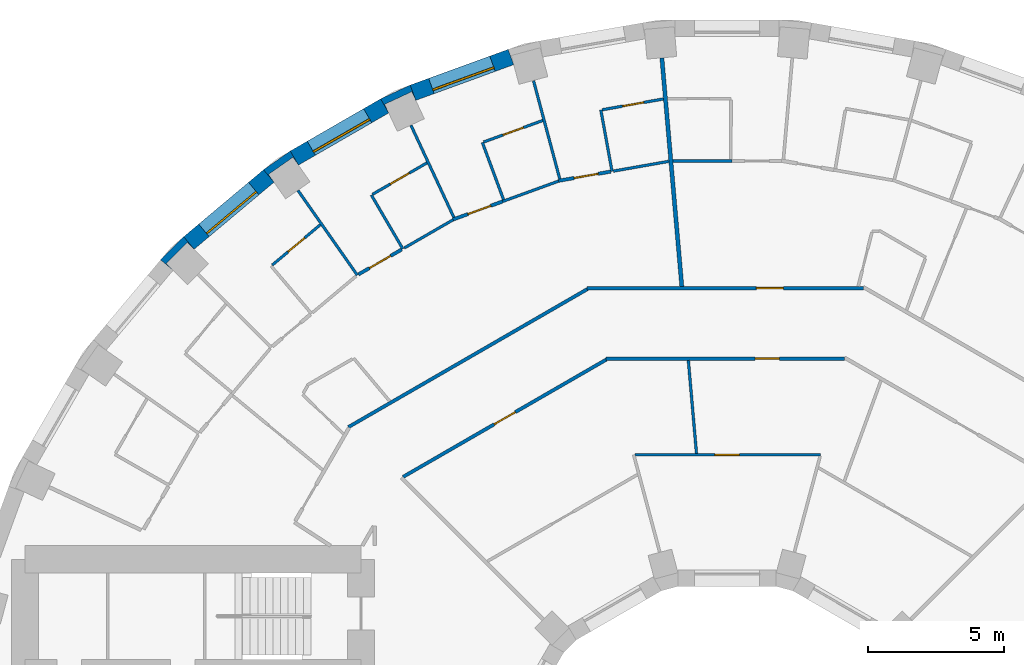
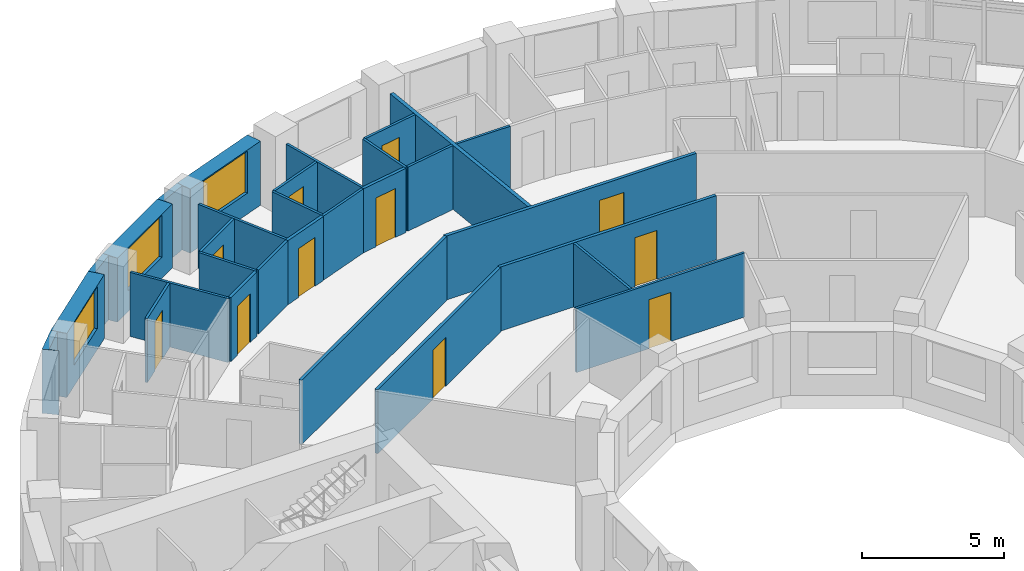
# One storey, part 11 of 15: 30 walls, 11 doors, 3 windows, 14 openings.
"""IFC4 building model written with IfcOpenShell, lengths in metres."""

from ifc_helpers import new_model, si_unit, direction, frame, frame_2d, origin, place, context, subcontext, project, spatial, polyline, rectangle, outline, extrude, material, layer, layer_set, type_object, element, fill, save


model = new_model("IFC4")

# Units and contexts
model_context = context("Model", 3, precision=1e-05, world=origin(), true_north=direction((0.0, 1.0)))
body_context = subcontext(model_context, "Body", "Model", "MODEL_VIEW")
ifc_project = project(units=[si_unit("LENGTHUNIT", "METRE"), si_unit("AREAUNIT", "SQUARE_METRE"), si_unit("VOLUMEUNIT", "CUBIC_METRE"), si_unit("PLANEANGLEUNIT", "RADIAN"), si_unit("MASSUNIT", "GRAM", prefix="KILO")], contexts=[model_context])

# Site, building, storey
site_placement = place(None, origin())
site = spatial("IfcSite", under=ifc_project, at=site_placement, CompositionType="ELEMENT")
building_placement = place(site_placement, origin())
building = spatial("IfcBuilding", under=site, at=building_placement, Name="Saqina Gate Tower", CompositionType="ELEMENT")
storey_placement = place(building_placement, frame((0.0, 0.0, 56.0)))
storey = spatial("IfcBuildingStorey", under=building, at=storey_placement, Name="L15", CompositionType="ELEMENT", Elevation=56.0)

# Walls
ifc_material_1 = material(Name="Brick masonry (red)", Category="masonry")
wall_type_1 = type_object("IfcWallType", Name="BRICK PIER COPING RED", PredefinedType="SOLIDWALL", material=ifc_material_1)
wall_1_placement = place(storey_placement, origin())
element("IfcWall", 1, at=wall_1_placement, inside=storey, type_object=wall_type_1, Name="Pier cap L15 column 12", PredefinedType="SOLIDWALL", context=body_context, shape_type="SweptSolid", body=[
    extrude(outline(polyline([(-12.779541015625, 25.980712890625), (-12.4794921875, 25.4609375), (-12.627685546875, 25.778564453125), (-11.630615234375, 26.243408203125), (-11.482666015625, 25.92578125), (-11.687744140625, 26.48974609375), (-12.779541015625, 25.980712890625)])), origin(), (0.0, 0.0, 1.0), 2.75),
])
wall_2_placement = place(storey_placement, origin())
element("IfcWall", 2, at=wall_2_placement, inside=storey, type_object=wall_type_1, Name="Pier cap L15 column 13", PredefinedType="SOLIDWALL", context=body_context, shape_type="SweptSolid", body=[
    extrude(outline(polyline([(-16.110107421875, 24.0576171875), (-17.096923828125, 23.36669921875), (-16.711181640625, 22.9072265625), (-16.912109375, 23.194091796875), (-16.010986328125, 23.8251953125), (-15.81005859375, 23.5380859375), (-16.110107421875, 24.0576171875)])), origin(), (0.0, 0.0, 1.0), 2.75),
])
wall_3_placement = place(storey_placement, origin())
element("IfcWall", 3, at=wall_3_placement, inside=storey, type_object=wall_type_1, Name="Pier cap L15 column 14", PredefinedType="SOLIDWALL", context=body_context, shape_type="SweptSolid", body=[
    extrude(outline(polyline([(-20.894775390625, 20.04296875), (-20.43505859375, 19.6572265625), (-20.682861328125, 19.905029296875), (-19.905029296875, 20.682861328125), (-19.6572265625, 20.43505859375), (-20.04296875, 20.894775390625), (-20.894775390625, 20.04296875)])), origin(), (0.0, 0.0, 1.0), 2.75),
])

# Wall, opening, window
ifc_material_2 = material(Name="Brick masonry (red)", Category="masonry")
ifc_layer_1 = layer(ifc_material_2, 0.60009765625)
ifc_layer_set_1 = layer_set([ifc_layer_1], Name="FW-BRICK-RED")
wall_type_2 = type_object("IfcWallType", Name="FW-BRICK-RED", PredefinedType="SOLIDWALL", material=ifc_layer_set_1)
wall_4_placement = place(storey_placement, frame((-7.97119140625, 27.523193359375, 0.0), z_axis=(0.0, 0.0, 1.0), x_axis=(-0.939689588564, -0.342028474173, 0.0)))
wall_4 = element("IfcWall", 4, at=wall_4_placement, inside=storey, type_object=wall_type_2, Name="Facade wall L15 facet 11", PredefinedType="SOLIDWALL", context=body_context, shape_type="SweptSolid", body=[
    extrude(rectangle(XDim=3.845947265625, YDim=0.60009765625, at=frame_2d((1.9228515625, 0.0))), origin(), (0.0, 0.0, 1.0), 2.75),
])
opening_1_placement = place(wall_4_placement, frame((0.722900390625, 0.0, 0.89990234375)))
opening_1 = element("IfcOpeningElement", 5, at=opening_1_placement, cuts=wall_4, Name="Opening G04-W06", PredefinedType="OPENING", context=body_context, shape_type="SweptSolid", body=[
    extrude(rectangle(XDim=2.39990234375, YDim=1.800048828125, at=frame_2d((1.199951171875, 0.89990234375))), frame((0.0, 0.31201171875, 0.0), z_axis=(0.0, -1.0, 0.0), x_axis=(1.0, 0.0, 0.0)), (0.0, 0.0, 1.0), 0.6240234375),
])
ifc_material_3 = material(Name="Aluminium glazing", Category="aluminium")
window_type = type_object("IfcWindowType", Name="WN-A", PartitioningType="SINGLE_PANEL", PredefinedType="WINDOW", material=ifc_material_3)
window_1_placement = place(opening_1_placement, origin())
window_1 = element("IfcWindow", 6, at=window_1_placement, inside=storey, type_object=window_type, Name="Window L15 facet 11", OverallHeight=1.800048828125, OverallWidth=2.39990234375, PartitioningType="SINGLE_PANEL", PredefinedType="WINDOW", context=body_context, shape_type="SweptSolid", body=[
    extrude(rectangle(XDim=2.39990234375, YDim=1.800048828125, at=frame_2d((1.199951171875, 0.89990234375))), frame((0.0, 0.179931640625, 0.0), z_axis=(0.0, -1.0, 0.0), x_axis=(1.0, 0.0, 0.0)), (0.0, 0.0, 1.0), 0.06005859375),
])
fill(opening_1, window_1)

wall_5_placement = place(storey_placement, frame((-12.629638671875, 25.720703125, 0.0), z_axis=(0.0, 0.0, 1.0), x_axis=(-0.86603124159, -0.499989888488, 0.0)))
wall_5 = element("IfcWall", 7, at=wall_5_placement, inside=storey, type_object=wall_type_2, Name="Facade wall L15 facet 12", PredefinedType="SOLIDWALL", context=body_context, shape_type="SweptSolid", body=[
    extrude(rectangle(XDim=3.845703125, YDim=0.60009765625, at=frame_2d((1.9228515625, 0.0))), origin(), (0.0, 0.0, 1.0), 2.75),
])
opening_2_placement = place(wall_5_placement, frame((0.722900390625, 0.0, 0.89990234375)))
opening_2 = element("IfcOpeningElement", 8, at=opening_2_placement, cuts=wall_5, Name="Opening G04-W07", PredefinedType="OPENING", context=body_context, shape_type="SweptSolid", body=[
    extrude(rectangle(XDim=2.39990234375, YDim=1.800048828125, at=frame_2d((1.199951171875, 0.89990234375))), frame((0.0, 0.31201171875, 0.0), z_axis=(0.0, -1.0, 0.0), x_axis=(1.0, 0.0, 0.0)), (0.0, 0.0, 1.0), 0.6240234375),
])
window_2_placement = place(opening_2_placement, origin())
window_2 = element("IfcWindow", 9, at=window_2_placement, inside=storey, type_object=window_type, Name="Window L15 facet 12", OverallHeight=1.800048828125, OverallWidth=2.39990234375, PartitioningType="SINGLE_PANEL", PredefinedType="WINDOW", context=body_context, shape_type="SweptSolid", body=[
    extrude(rectangle(XDim=2.39990234375, YDim=1.800048828125, at=frame_2d((1.199951171875, 0.89990234375))), frame((0.0, 0.179931640625, 0.0), z_axis=(0.0, -1.0, 0.0), x_axis=(1.0, 0.0, 0.0)), (0.0, 0.0, 1.0), 0.06005859375),
])
fill(opening_2, window_2)

wall_6_placement = place(storey_placement, frame((-16.904052734375, 23.136962890625, 0.0), z_axis=(0.0, 0.0, 1.0), x_axis=(-0.766026164483, -0.642809392687, 0.0)))
wall_6 = element("IfcWall", 10, at=wall_6_placement, inside=storey, type_object=wall_type_2, Name="Facade wall L15 facet 13", PredefinedType="SOLIDWALL", context=body_context, shape_type="SweptSolid", body=[
    extrude(rectangle(XDim=3.845947265625, YDim=0.60009765625, at=frame_2d((1.9228515625, 0.0))), origin(), (0.0, 0.0, 1.0), 2.75),
])
opening_3_placement = place(wall_6_placement, frame((0.722900390625, 0.0, 0.89990234375)))
opening_3 = element("IfcOpeningElement", 11, at=opening_3_placement, cuts=wall_6, Name="Opening G04-W08", PredefinedType="OPENING", context=body_context, shape_type="SweptSolid", body=[
    extrude(rectangle(XDim=2.39990234375, YDim=1.800048828125, at=frame_2d((1.199951171875, 0.89990234375))), frame((0.0, 0.31201171875, 0.0), z_axis=(0.0, -1.0, 0.0), x_axis=(1.0, 0.0, 0.0)), (0.0, 0.0, 1.0), 0.6240234375),
])
window_3_placement = place(opening_3_placement, origin())
window_3 = element("IfcWindow", 12, at=window_3_placement, inside=storey, type_object=window_type, Name="Window L15 facet 13", OverallHeight=1.800048828125, OverallWidth=2.39990234375, PartitioningType="SINGLE_PANEL", PredefinedType="WINDOW", context=body_context, shape_type="SweptSolid", body=[
    extrude(rectangle(XDim=2.39990234375, YDim=1.800048828125, at=frame_2d((1.199951171875, 0.89990234375))), frame((0.0, 0.179931640625, 0.0), z_axis=(0.0, -1.0, 0.0), x_axis=(1.0, 0.0, 0.0)), (0.0, 0.0, 1.0), 0.06005859375),
])
fill(opening_3, window_3)

# Walls
ifc_material_4 = material(Name="Gypsum board on steel studs, 100 mm", Category="steel")
ifc_layer_2 = layer(ifc_material_4, 0.10009765625)
ifc_layer_set_2 = layer_set([ifc_layer_2], Name="PARTITION 100")
wall_type_3 = type_object("IfcWallType", Name="PARTITION 100", PredefinedType="PARTITIONING", material=ifc_layer_set_2)
wall_7_placement = place(storey_placement, frame((-1.429443359375, 16.337646484375, 0.0), z_axis=(0.0, 0.0, 1.0), x_axis=(0.087231016206, -0.996188109652, 0.0)))
element("IfcWall", 13, at=wall_7_placement, inside=storey, type_object=wall_type_3, Name="PARTITION PW3-04", PredefinedType="PARTITIONING", context=body_context, shape_type="SweptSolid", body=[
    extrude(rectangle(XDim=3.450927734375, YDim=0.10009765625, at=frame_2d((1.7255859375, 0.0))), origin(), (0.0, 0.0, 1.0), 2.75),
])
wall_8_placement = place(storey_placement, frame((-4.656005859375, 25.570068359375, 0.0), z_axis=(0.0, 0.0, 1.0), x_axis=(0.179165642613, -0.983818922621, 0.0)))
element("IfcWall", 14, at=wall_8_placement, inside=storey, type_object=wall_type_3, Name="PARTITION PW3-08", PredefinedType="PARTITIONING", context=body_context, shape_type="SweptSolid", body=[
    extrude(rectangle(XDim=2.300048828125, YDim=0.10009765625, at=frame_2d((1.14990234375, 0.0))), origin(), (0.0, 0.0, 1.0), 2.75),
])
wall_9_placement = place(storey_placement, frame((-7.139404296875, 26.650146484375, 0.0), z_axis=(0.0, 0.0, 1.0), x_axis=(0.258074907141, -0.966124910301, 0.0)))
element("IfcWall", 15, at=wall_9_placement, inside=storey, type_object=wall_type_3, Name="PARTITION PW3-09", PredefinedType="PARTITIONING", context=body_context, shape_type="SweptSolid", body=[
    extrude(rectangle(XDim=3.759521484375, YDim=0.10009765625, at=frame_2d((1.8798828125, 0.0))), origin(), (0.0, 0.0, 1.0), 2.75),
])
wall_10_placement = place(storey_placement, frame((-9.02587890625, 24.3720703125, 0.0), z_axis=(0.0, 0.0, 1.0), x_axis=(0.347445153589, -0.937700306733, 0.0)))
element("IfcWall", 16, at=wall_10_placement, inside=storey, type_object=wall_type_3, Name="PARTITION PW3-14", PredefinedType="PARTITIONING", context=body_context, shape_type="SweptSolid", body=[
    extrude(rectangle(XDim=2.249267578125, YDim=0.10009765625, at=frame_2d((1.12451171875, 0.0))), origin(), (0.0, 0.0, 1.0), 2.75),
])
wall_11_placement = place(storey_placement, frame((-11.65966796875, 25.005126953125, 0.0), z_axis=(0.0, 0.0, 1.0), x_axis=(0.422316636066, -0.906448376303, 0.0)))
element("IfcWall", 17, at=wall_11_placement, inside=storey, type_object=wall_type_3, Name="PARTITION PW3-15", PredefinedType="PARTITIONING", context=body_context, shape_type="SweptSolid", body=[
    extrude(rectangle(XDim=3.760009765625, YDim=0.10009765625, at=frame_2d((1.8798828125, 0.0))), origin(), (0.0, 0.0, 1.0), 2.75),
])
wall_12_placement = place(storey_placement, frame((-13.12109375, 22.43505859375, 0.0), z_axis=(0.0, 0.0, 1.0), x_axis=(0.504708754908, -0.863289680651, 0.0)))
element("IfcWall", 18, at=wall_12_placement, inside=storey, type_object=wall_type_3, Name="PARTITION PW3-17", PredefinedType="PARTITIONING", context=body_context, shape_type="SweptSolid", body=[
    extrude(rectangle(XDim=2.300537109375, YDim=0.10009765625, at=frame_2d((1.150390625, 0.0))), origin(), (0.0, 0.0, 1.0), 2.75),
])
wall_13_placement = place(storey_placement, frame((-15.824951171875, 22.6005859375, 0.0), z_axis=(0.0, 0.0, 1.0), x_axis=(0.573574167811, -0.819153632733, 0.0)))
element("IfcWall", 19, at=wall_13_placement, inside=storey, type_object=wall_type_3, Name="PARTITION PW3-19", PredefinedType="PARTITIONING", context=body_context, shape_type="SweptSolid", body=[
    extrude(rectangle(XDim=3.8095703125, YDim=0.10009765625, at=frame_2d((1.90478515625, 0.0))), origin(), (0.0, 0.0, 1.0), 2.75),
])

# Wall, opening, door
wall_14_placement = place(storey_placement, frame((-3.39306640625, 12.85009765625, 0.0), z_axis=(0.0, 0.0, 1.0), x_axis=(1.0, 0.0, 0.0)))
wall_14 = element("IfcWall", 20, at=wall_14_placement, inside=storey, type_object=wall_type_3, Name="PARTITION PW3-59", PredefinedType="PARTITIONING", context=body_context, shape_type="SweptSolid", body=[
    extrude(rectangle(XDim=6.836181640625, YDim=0.10009765625, at=frame_2d((3.41796875, 0.0))), origin(), (0.0, 0.0, 1.0), 2.75),
])
opening_4_placement = place(wall_14_placement, frame((2.943115234375, 0.0, 0.0)))
opening_4 = element("IfcOpeningElement", 21, at=opening_4_placement, cuts=wall_14, Name="Opening G04-D18", PredefinedType="OPENING", context=body_context, shape_type="SweptSolid", body=[
    extrude(rectangle(XDim=0.89990234375, YDim=2.10009765625, at=frame_2d((0.449951171875, 1.050048828125))), frame((0.0, 0.06201171875, 0.0), z_axis=(0.0, -1.0, 0.0), x_axis=(1.0, 0.0, 0.0)), (0.0, 0.0, 1.0), 0.1240234375),
])
ifc_material_5 = material(Name="Timber door leaf, 900 mm", Category="wood")
door_type_1 = type_object("IfcDoorType", Name="DOOR 900 TIMBER", OperationType="SINGLE_SWING_LEFT", PredefinedType="DOOR", material=ifc_material_5)
door_1_placement = place(opening_4_placement, frame((0.89990234375, 0.0, 0.0), z_axis=(0.0, 0.0, 1.0), x_axis=(-1.0, 0.0, 0.0)))
door_1 = element("IfcDoor", 22, at=door_1_placement, inside=storey, type_object=door_type_1, Name="DOOR G04-D18", OperationType="SINGLE_SWING_RIGHT", OverallHeight=2.10009765625, OverallWidth=0.89990234375, PredefinedType="DOOR", context=body_context, shape_type="SweptSolid", body=[
    extrude(rectangle(XDim=0.89990234375, YDim=2.10009765625, at=frame_2d((0.449951171875, 1.050048828125))), frame((0.0, 0.02490234375, 0.0), z_axis=(0.0, -1.0, 0.0), x_axis=(1.0, 0.0, 0.0)), (0.0, 0.0, 1.0), 0.050048828125),
])
fill(opening_4, door_1)

# Walls
wall_15_placement = place(storey_placement, frame((-1.998046875, 23.68994140625, 0.0), z_axis=(0.0, 0.0, 1.0), x_axis=(1.0, 0.0, 0.0)))
element("IfcWall", 23, at=wall_15_placement, inside=storey, type_object=wall_type_3, Name="PARTITION PW3-61", PredefinedType="PARTITIONING", context=body_context, shape_type="SweptSolid", body=[
    extrude(rectangle(XDim=2.18115234375, YDim=0.10009765625, at=frame_2d((1.090576171875, 0.0))), origin(), (0.0, 0.0, 1.0), 2.75),
])
wall_16_placement = place(storey_placement, frame((-4.19482421875, 23.315673828125, 0.0), z_axis=(0.0, 0.0, 1.0), x_axis=(0.984788286148, 0.173758543574, 0.0)))
element("IfcWall", 24, at=wall_16_placement, inside=storey, type_object=wall_type_3, Name="PARTITION PW3-65", PredefinedType="PARTITIONING", context=body_context, shape_type="SweptSolid", body=[
    extrude(rectangle(XDim=2.07958984375, YDim=0.10009765625, at=frame_2d((1.039794921875, 0.0))), origin(), (0.0, 0.0, 1.0), 2.75),
])

# Wall, opening, door
wall_17_placement = place(storey_placement, frame((-4.606689453125, 25.57861328125, 0.0), z_axis=(0.0, 0.0, 1.0), x_axis=(0.984796414822, 0.173712467465, 0.0)))
wall_17 = element("IfcWall", 25, at=wall_17_placement, inside=storey, type_object=wall_type_3, Name="PARTITION PW3-66", PredefinedType="PARTITIONING", context=body_context, shape_type="SweptSolid", body=[
    extrude(rectangle(XDim=2.293701171875, YDim=0.10009765625, at=frame_2d((1.14697265625, 0.0))), origin(), (0.0, 0.0, 1.0), 2.75),
])
opening_5_placement = place(wall_17_placement, frame((0.759521484375, 0.0, 0.0)))
opening_5 = element("IfcOpeningElement", 26, at=opening_5_placement, cuts=wall_17, Name="Opening G04-D20", PredefinedType="OPENING", context=body_context, shape_type="SweptSolid", body=[
    extrude(rectangle(XDim=0.800048828125, YDim=2.10009765625, at=frame_2d((0.39990234375, 1.050048828125))), frame((0.0, 0.06201171875, 0.0), z_axis=(0.0, -1.0, 0.0), x_axis=(1.0, 0.0, 0.0)), (0.0, 0.0, 1.0), 0.1240234375),
])
ifc_material_6 = material(Name="Timber door leaf, 800 mm", Category="wood")
door_type_2 = type_object("IfcDoorType", Name="DOOR 800 TIMBER", OperationType="SINGLE_SWING_LEFT", PredefinedType="DOOR", material=ifc_material_6)
door_2_placement = place(opening_5_placement, origin())
door_2 = element("IfcDoor", 27, at=door_2_placement, inside=storey, type_object=door_type_2, Name="DOOR G04-D20", OperationType="SINGLE_SWING_RIGHT", OverallHeight=2.10009765625, OverallWidth=0.800048828125, PredefinedType="DOOR", context=body_context, shape_type="SweptSolid", body=[
    extrude(rectangle(XDim=0.800048828125, YDim=2.10009765625, at=frame_2d((0.39990234375, 1.050048828125))), frame((0.0, 0.02490234375, 0.0), z_axis=(0.0, -1.0, 0.0), x_axis=(1.0, 0.0, 0.0)), (0.0, 0.0, 1.0), 0.050048828125),
])
fill(opening_5, door_2)

# Wall
wall_18_placement = place(storey_placement, frame((-8.27392578125, 22.19873046875, 0.0), z_axis=(0.0, 0.0, 1.0), x_axis=(0.939712116987, 0.341966573204, 0.0)))
element("IfcWall", 28, at=wall_18_placement, inside=storey, type_object=wall_type_3, Name="PARTITION PW3-69", PredefinedType="PARTITIONING", context=body_context, shape_type="SweptSolid", body=[
    extrude(rectangle(XDim=2.1923828125, YDim=0.10009765625, at=frame_2d((1.09619140625, 0.0))), origin(), (0.0, 0.0, 1.0), 2.75),
])

# Wall, opening, door
wall_19_placement = place(storey_placement, frame((-8.97900390625, 24.38916015625, 0.0), z_axis=(0.0, 0.0, 1.0), x_axis=(0.93967659433, 0.342064172443, 0.0)))
wall_19 = element("IfcWall", 29, at=wall_19_placement, inside=storey, type_object=wall_type_3, Name="PARTITION PW3-70", PredefinedType="PARTITIONING", context=body_context, shape_type="SweptSolid", body=[
    extrude(rectangle(XDim=2.319580078125, YDim=0.10009765625, at=frame_2d((1.15966796875, 0.0))), origin(), (0.0, 0.0, 1.0), 2.75),
])
opening_6_placement = place(wall_19_placement, frame((0.760009765625, 0.0, 0.0)))
opening_6 = element("IfcOpeningElement", 30, at=opening_6_placement, cuts=wall_19, Name="Opening G04-D22", PredefinedType="OPENING", context=body_context, shape_type="SweptSolid", body=[
    extrude(rectangle(XDim=0.800048828125, YDim=2.10009765625, at=frame_2d((0.39990234375, 1.050048828125))), frame((0.0, 0.06201171875, 0.0), z_axis=(0.0, -1.0, 0.0), x_axis=(1.0, 0.0, 0.0)), (0.0, 0.0, 1.0), 0.1240234375),
])
door_3_placement = place(opening_6_placement, origin())
door_3 = element("IfcDoor", 31, at=door_3_placement, inside=storey, type_object=door_type_2, Name="DOOR G04-D22", OperationType="SINGLE_SWING_RIGHT", OverallHeight=2.10009765625, OverallWidth=0.800048828125, PredefinedType="DOOR", context=body_context, shape_type="SweptSolid", body=[
    extrude(rectangle(XDim=0.800048828125, YDim=2.10009765625, at=frame_2d((0.39990234375, 1.050048828125))), frame((0.0, 0.02490234375, 0.0), z_axis=(0.0, -1.0, 0.0), x_axis=(1.0, 0.0, 0.0)), (0.0, 0.0, 1.0), 0.050048828125),
])
fill(opening_6, door_3)

# Wall
wall_20_placement = place(storey_placement, frame((-11.90576171875, 20.480224609375, 0.0), z_axis=(0.0, 0.0, 1.0), x_axis=(0.865966712092, 0.500101643217, 0.0)))
element("IfcWall", 32, at=wall_20_placement, inside=storey, type_object=wall_type_3, Name="PARTITION PW3-77", PredefinedType="PARTITIONING", context=body_context, shape_type="SweptSolid", body=[
    extrude(rectangle(XDim=2.08056640625, YDim=0.10009765625, at=frame_2d((1.040283203125, 0.0))), origin(), (0.0, 0.0, 1.0), 2.75),
])

# Wall, opening, door
wall_21_placement = place(storey_placement, frame((-13.07763671875, 22.4599609375, 0.0), z_axis=(0.0, 0.0, 1.0), x_axis=(0.865947141423, 0.500135529893, 0.0)))
wall_21 = element("IfcWall", 33, at=wall_21_placement, inside=storey, type_object=wall_type_3, Name="PARTITION PW3-78", PredefinedType="PARTITIONING", context=body_context, shape_type="SweptSolid", body=[
    extrude(rectangle(XDim=2.319091796875, YDim=0.10009765625, at=frame_2d((1.15966796875, 0.0))), origin(), (0.0, 0.0, 1.0), 2.75),
])
opening_7_placement = place(wall_21_placement, frame((0.759765625, 0.0, 0.0)))
opening_7 = element("IfcOpeningElement", 34, at=opening_7_placement, cuts=wall_21, Name="Opening G04-D24", PredefinedType="OPENING", context=body_context, shape_type="SweptSolid", body=[
    extrude(rectangle(XDim=0.800048828125, YDim=2.10009765625, at=frame_2d((0.39990234375, 1.050048828125))), frame((0.0, 0.06201171875, 0.0), z_axis=(0.0, -1.0, 0.0), x_axis=(1.0, 0.0, 0.0)), (0.0, 0.0, 1.0), 0.1240234375),
])
door_4_placement = place(opening_7_placement, origin())
door_4 = element("IfcDoor", 35, at=door_4_placement, inside=storey, type_object=door_type_2, Name="DOOR G04-D24", OperationType="SINGLE_SWING_RIGHT", OverallHeight=2.10009765625, OverallWidth=0.800048828125, PredefinedType="DOOR", context=body_context, shape_type="SweptSolid", body=[
    extrude(rectangle(XDim=0.800048828125, YDim=2.10009765625, at=frame_2d((0.39990234375, 1.050048828125))), frame((0.0, 0.02490234375, 0.0), z_axis=(0.0, -1.0, 0.0), x_axis=(1.0, 0.0, 0.0)), (0.0, 0.0, 1.0), 0.050048828125),
])
fill(opening_7, door_4)

wall_22_placement = place(storey_placement, frame((-16.77880859375, 19.84814453125, 0.0), z_axis=(0.0, 0.0, 1.0), x_axis=(0.766051078848, 0.642779701449, 0.0)))
wall_22 = element("IfcWall", 36, at=wall_22_placement, inside=storey, type_object=wall_type_3, Name="PARTITION PW3-82", PredefinedType="PARTITIONING", context=body_context, shape_type="SweptSolid", body=[
    extrude(rectangle(XDim=2.319091796875, YDim=0.10009765625, at=frame_2d((1.15966796875, 0.0))), origin(), (0.0, 0.0, 1.0), 2.75),
])
opening_8_placement = place(wall_22_placement, frame((0.759521484375, 0.0, 0.0)))
opening_8 = element("IfcOpeningElement", 37, at=opening_8_placement, cuts=wall_22, Name="Opening G04-D28", PredefinedType="OPENING", context=body_context, shape_type="SweptSolid", body=[
    extrude(rectangle(XDim=0.800048828125, YDim=2.10009765625, at=frame_2d((0.39990234375, 1.050048828125))), frame((0.0, 0.06201171875, 0.0), z_axis=(0.0, -1.0, 0.0), x_axis=(1.0, 0.0, 0.0)), (0.0, 0.0, 1.0), 0.1240234375),
])
door_5_placement = place(opening_8_placement, origin())
door_5 = element("IfcDoor", 38, at=door_5_placement, inside=storey, type_object=door_type_2, Name="DOOR G04-D28", OperationType="SINGLE_SWING_LEFT", OverallHeight=2.10009765625, OverallWidth=0.800048828125, PredefinedType="DOOR", context=body_context, shape_type="SweptSolid", body=[
    extrude(rectangle(XDim=0.800048828125, YDim=2.10009765625, at=frame_2d((0.39990234375, 1.050048828125))), frame((0.0, 0.02490234375, 0.0), z_axis=(0.0, -1.0, 0.0), x_axis=(1.0, 0.0, 0.0)), (0.0, 0.0, 1.0), 0.050048828125),
])
fill(opening_8, door_5)

ifc_material_7 = material(Name="Gypsum board on steel studs, 125 mm, fire rated", Category="steel")
ifc_layer_3 = layer(ifc_material_7, 0.125)
ifc_layer_set_3 = layer_set([ifc_layer_3], Name="PARTITION EI 30 125")
wall_type_4 = type_object("IfcWallType", Name="PARTITION EI 30 125", PredefinedType="PARTITIONING", material=ifc_layer_set_3)
wall_23_placement = place(storey_placement, frame((-4.466064453125, 16.39990234375, 0.0), z_axis=(0.0, 0.0, 1.0), x_axis=(1.0, 0.0, 0.0)))
wall_23 = element("IfcWall", 39, at=wall_23_placement, inside=storey, type_object=wall_type_4, Name="PARTITION PW1-24", PredefinedType="PARTITIONING", context=body_context, shape_type="SweptSolid", body=[
    extrude(rectangle(XDim=8.797607421875, YDim=0.125, at=frame_2d((4.39892578125, 0.0))), origin(), (0.0, 0.0, 1.0), 2.75),
])
opening_9_placement = place(wall_23_placement, frame((5.49560546875, 0.0, 0.0)))
opening_9 = element("IfcOpeningElement", 40, at=opening_9_placement, cuts=wall_23, Name="Opening G04-D15", PredefinedType="OPENING", context=body_context, shape_type="SweptSolid", body=[
    extrude(rectangle(XDim=0.89990234375, YDim=2.10009765625, at=frame_2d((0.449951171875, 1.050048828125))), frame((0.0, 0.074462890625, 0.0), z_axis=(0.0, -1.0, 0.0), x_axis=(1.0, 0.0, 0.0)), (0.0, 0.0, 1.0), 0.14892578125),
])
ifc_material_8 = material(Name="Fire door leaf EI 30, 900 mm")
door_type_3 = type_object("IfcDoorType", Name="DOOR 900 EI 30", OperationType="SINGLE_SWING_LEFT", PredefinedType="DOOR", material=ifc_material_8)
door_6_placement = place(opening_9_placement, frame((0.89990234375, 0.0, 0.0), z_axis=(0.0, 0.0, 1.0), x_axis=(-1.0, 0.0, 0.0)))
door_6 = element("IfcDoor", 41, at=door_6_placement, inside=storey, type_object=door_type_3, Name="DOOR G04-D15", OperationType="SINGLE_SWING_LEFT", OverallHeight=2.10009765625, OverallWidth=0.89990234375, PredefinedType="DOOR", context=body_context, shape_type="SweptSolid", body=[
    extrude(rectangle(XDim=0.89990234375, YDim=2.10009765625, at=frame_2d((0.449951171875, 1.050048828125))), frame((0.0, 0.02490234375, 0.0), z_axis=(0.0, -1.0, 0.0), x_axis=(1.0, 0.0, 0.0)), (0.0, 0.0, 1.0), 0.050048828125),
])
fill(opening_9, door_6)

wall_24_placement = place(storey_placement, frame((-5.1630859375, 19.0, 0.0), z_axis=(0.0, 0.0, 1.0), x_axis=(1.0, 0.0, 0.0)))
wall_24 = element("IfcWall", 42, at=wall_24_placement, inside=storey, type_object=wall_type_4, Name="PARTITION PW1-25", PredefinedType="PARTITIONING", context=body_context, shape_type="SweptSolid", body=[
    extrude(rectangle(XDim=10.191650390625, YDim=0.125, at=frame_2d((5.095703125, 0.0))), origin(), (0.0, 0.0, 1.0), 2.75),
])
opening_10_placement = place(wall_24_placement, frame((6.24169921875, 0.0, 0.0)))
opening_10 = element("IfcOpeningElement", 43, at=opening_10_placement, cuts=wall_24, Name="Opening G04-D16", PredefinedType="OPENING", context=body_context, shape_type="SweptSolid", body=[
    extrude(rectangle(XDim=1.0, YDim=2.10009765625, at=frame_2d((0.5, 1.050048828125))), frame((0.0, 0.074462890625, 0.0), z_axis=(0.0, -1.0, 0.0), x_axis=(1.0, 0.0, 0.0)), (0.0, 0.0, 1.0), 0.14892578125),
])
ifc_material_9 = material(Name="Fire door leaf EI 30, 1000 mm")
door_type_4 = type_object("IfcDoorType", Name="DOOR 1000 EI 30", OperationType="SINGLE_SWING_LEFT", PredefinedType="DOOR", material=ifc_material_9)
door_7_placement = place(opening_10_placement, origin())
door_7 = element("IfcDoor", 44, at=door_7_placement, inside=storey, type_object=door_type_4, Name="DOOR G04-D16", OperationType="SINGLE_SWING_RIGHT", OverallHeight=2.10009765625, OverallWidth=1.0, PredefinedType="DOOR", context=body_context, shape_type="SweptSolid", body=[
    extrude(rectangle(XDim=1.0, YDim=2.10009765625, at=frame_2d((0.5, 1.050048828125))), frame((0.0, 0.02490234375, 0.0), z_axis=(0.0, -1.0, 0.0), x_axis=(1.0, 0.0, 0.0)), (0.0, 0.0, 1.0), 0.050048828125),
])
fill(opening_10, door_7)

wall_25_placement = place(storey_placement, frame((-6.217529296875, 22.958984375, 0.0), z_axis=(0.0, 0.0, 1.0), x_axis=(0.984803677322, 0.173671290469, 0.0)))
wall_25 = element("IfcWall", 45, at=wall_25_placement, inside=storey, type_object=wall_type_4, Name="PARTITION PW1-28", PredefinedType="PARTITIONING", context=body_context, shape_type="SweptSolid", body=[
    extrude(rectangle(XDim=1.9541015625, YDim=0.125, at=frame_2d((0.97705078125, 0.0))), origin(), (0.0, 0.0, 1.0), 2.75),
])
opening_11_placement = place(wall_25_placement, frame((0.583740234375, 0.0, 0.0)))
opening_11 = element("IfcOpeningElement", 46, at=opening_11_placement, cuts=wall_25, Name="Opening G04-D21", PredefinedType="OPENING", context=body_context, shape_type="SweptSolid", body=[
    extrude(rectangle(XDim=0.89990234375, YDim=2.10009765625, at=frame_2d((0.449951171875, 1.050048828125))), frame((0.0, 0.074462890625, 0.0), z_axis=(0.0, -1.0, 0.0), x_axis=(1.0, 0.0, 0.0)), (0.0, 0.0, 1.0), 0.14892578125),
])
door_8_placement = place(opening_11_placement, frame((0.89990234375, 0.0, 0.0), z_axis=(0.0, 0.0, 1.0), x_axis=(-1.0, 0.0, 0.0)))
door_8 = element("IfcDoor", 47, at=door_8_placement, inside=storey, type_object=door_type_3, Name="DOOR G04-D21", OperationType="SINGLE_SWING_RIGHT", OverallHeight=2.10009765625, OverallWidth=0.89990234375, PredefinedType="DOOR", context=body_context, shape_type="SweptSolid", body=[
    extrude(rectangle(XDim=0.89990234375, YDim=2.10009765625, at=frame_2d((0.449951171875, 1.050048828125))), frame((0.0, 0.02490234375, 0.0), z_axis=(0.0, -1.0, 0.0), x_axis=(1.0, 0.0, 0.0)), (0.0, 0.0, 1.0), 0.050048828125),
])
fill(opening_11, door_8)

wall_26_placement = place(storey_placement, frame((-10.109619140625, 21.5302734375, 0.0), z_axis=(0.0, 0.0, 1.0), x_axis=(0.939599898996, 0.342274786986, 0.0)))
wall_26 = element("IfcWall", 48, at=wall_26_placement, inside=storey, type_object=wall_type_4, Name="PARTITION PW1-30", PredefinedType="PARTITIONING", context=body_context, shape_type="SweptSolid", body=[
    extrude(rectangle(XDim=1.95361328125, YDim=0.125, at=frame_2d((0.976806640625, 0.0))), origin(), (0.0, 0.0, 1.0), 2.75),
])
opening_12_placement = place(wall_26_placement, frame((0.58349609375, 0.0, 0.0)))
opening_12 = element("IfcOpeningElement", 49, at=opening_12_placement, cuts=wall_26, Name="Opening G04-D23", PredefinedType="OPENING", context=body_context, shape_type="SweptSolid", body=[
    extrude(rectangle(XDim=0.89990234375, YDim=2.10009765625, at=frame_2d((0.449951171875, 1.050048828125))), frame((0.0, 0.074462890625, 0.0), z_axis=(0.0, -1.0, 0.0), x_axis=(1.0, 0.0, 0.0)), (0.0, 0.0, 1.0), 0.14892578125),
])
door_9_placement = place(opening_12_placement, frame((0.89990234375, 0.0, 0.0), z_axis=(0.0, 0.0, 1.0), x_axis=(-1.0, 0.0, 0.0)))
door_9 = element("IfcDoor", 50, at=door_9_placement, inside=storey, type_object=door_type_3, Name="DOOR G04-D23", OperationType="SINGLE_SWING_RIGHT", OverallHeight=2.10009765625, OverallWidth=0.89990234375, PredefinedType="DOOR", context=body_context, shape_type="SweptSolid", body=[
    extrude(rectangle(XDim=0.89990234375, YDim=2.10009765625, at=frame_2d((0.449951171875, 1.050048828125))), frame((0.0, 0.02490234375, 0.0), z_axis=(0.0, -1.0, 0.0), x_axis=(1.0, 0.0, 0.0)), (0.0, 0.0, 1.0), 0.050048828125),
])
fill(opening_12, door_9)

wall_27_placement = place(storey_placement, frame((-13.59716796875, 19.506103515625, 0.0), z_axis=(0.0, 0.0, 1.0), x_axis=(0.866538954681, 0.499109446936, 0.0)))
wall_27 = element("IfcWall", 51, at=wall_27_placement, inside=storey, type_object=wall_type_4, Name="PARTITION PW1-32", PredefinedType="PARTITIONING", context=body_context, shape_type="SweptSolid", body=[
    extrude(rectangle(XDim=1.839111328125, YDim=0.125, at=frame_2d((0.91943359375, 0.0))), origin(), (0.0, 0.0, 1.0), 2.75),
])
opening_13_placement = place(wall_27_placement, frame((0.4697265625, 0.0, 0.0)))
opening_13 = element("IfcOpeningElement", 52, at=opening_13_placement, cuts=wall_27, Name="Opening G04-D27", PredefinedType="OPENING", context=body_context, shape_type="SweptSolid", body=[
    extrude(rectangle(XDim=0.89990234375, YDim=2.10009765625, at=frame_2d((0.449951171875, 1.050048828125))), frame((0.0, 0.074462890625, 0.0), z_axis=(0.0, -1.0, 0.0), x_axis=(1.0, 0.0, 0.0)), (0.0, 0.0, 1.0), 0.14892578125),
])
door_10_placement = place(opening_13_placement, frame((0.89990234375, 0.0, 0.0), z_axis=(0.0, 0.0, 1.0), x_axis=(-1.0, 0.0, 0.0)))
door_10 = element("IfcDoor", 53, at=door_10_placement, inside=storey, type_object=door_type_3, Name="DOOR G04-D27", OperationType="SINGLE_SWING_RIGHT", OverallHeight=2.10009765625, OverallWidth=0.89990234375, PredefinedType="DOOR", context=body_context, shape_type="SweptSolid", body=[
    extrude(rectangle(XDim=0.89990234375, YDim=2.10009765625, at=frame_2d((0.449951171875, 1.050048828125))), frame((0.0, 0.02490234375, 0.0), z_axis=(0.0, -1.0, 0.0), x_axis=(1.0, 0.0, 0.0)), (0.0, 0.0, 1.0), 0.050048828125),
])
fill(opening_13, door_10)

wall_28_placement = place(storey_placement, frame((-11.951904296875, 12.037353515625, 0.0), z_axis=(0.0, 0.0, 1.0), x_axis=(0.866072505035, 0.499918409365, 0.0)))
wall_28 = element("IfcWall", 54, at=wall_28_placement, inside=storey, type_object=wall_type_4, Name="PARTITION PW1-35", PredefinedType="PARTITIONING", context=body_context, shape_type="SweptSolid", body=[
    extrude(rectangle(XDim=8.6640625, YDim=0.125, at=frame_2d((4.33203125, 0.0))), origin(), (0.0, 0.0, 1.0), 2.75),
])
opening_14_placement = place(wall_28_placement, frame((3.882080078125, 0.0, 0.0)))
opening_14 = element("IfcOpeningElement", 55, at=opening_14_placement, cuts=wall_28, Name="Opening G04-D26", PredefinedType="OPENING", context=body_context, shape_type="SweptSolid", body=[
    extrude(rectangle(XDim=0.89990234375, YDim=2.10009765625, at=frame_2d((0.449951171875, 1.050048828125))), frame((0.0, 0.074462890625, 0.0), z_axis=(0.0, -1.0, 0.0), x_axis=(1.0, 0.0, 0.0)), (0.0, 0.0, 1.0), 0.14892578125),
])
door_11_placement = place(opening_14_placement, frame((0.89990234375, 0.0, 0.0), z_axis=(0.0, 0.0, 1.0), x_axis=(-1.0, 0.0, 0.0)))
door_11 = element("IfcDoor", 56, at=door_11_placement, inside=storey, type_object=door_type_3, Name="DOOR G04-D26", OperationType="SINGLE_SWING_LEFT", OverallHeight=2.10009765625, OverallWidth=0.89990234375, PredefinedType="DOOR", context=body_context, shape_type="SweptSolid", body=[
    extrude(rectangle(XDim=0.89990234375, YDim=2.10009765625, at=frame_2d((0.449951171875, 1.050048828125))), frame((0.0, 0.02490234375, 0.0), z_axis=(0.0, -1.0, 0.0), x_axis=(1.0, 0.0, 0.0)), (0.0, 0.0, 1.0), 0.050048828125),
])
fill(opening_14, door_11)

# Walls
wall_29_placement = place(storey_placement, frame((-13.971435546875, 13.872802734375, 0.0), z_axis=(0.0, 0.0, 1.0), x_axis=(0.866024825845, 0.50000100102, 0.0)))
element("IfcWall", 57, at=wall_29_placement, inside=storey, type_object=wall_type_4, Name="PARTITION PW1-36", PredefinedType="PARTITIONING", context=body_context, shape_type="SweptSolid", body=[
    extrude(rectangle(XDim=10.19189453125, YDim=0.125, at=frame_2d((5.095947265625, 0.0))), origin(), (0.0, 0.0, 1.0), 2.75),
])
ifc_material_10 = material(Name="Gypsum board on steel studs, 150 mm, fire rated", Category="steel")
ifc_layer_4 = layer(ifc_material_10, 0.14990234375)
ifc_layer_set_4 = layer_set([ifc_layer_4], Name="PARTITION EI 60 150")
wall_type_5 = type_object("IfcWallType", Name="PARTITION EI 60 150", PredefinedType="PARTITIONING", material=ifc_layer_set_4)
wall_30_placement = place(storey_placement, frame((-2.404541015625, 27.485107421875, 0.0), z_axis=(0.0, 0.0, 1.0), x_axis=(0.086942360441, -0.996213343597, 0.0)))
element("IfcWall", 58, at=wall_30_placement, inside=storey, type_object=wall_type_5, Name="PARTITION PW2-01", PredefinedType="PARTITIONING", context=body_context, shape_type="SweptSolid", body=[
    extrude(rectangle(XDim=8.455078125, YDim=0.14990234375, at=frame_2d((4.2275390625, 0.0))), origin(), (0.0, 0.0, 1.0), 2.75),
])

save(model, "model.ifc")
